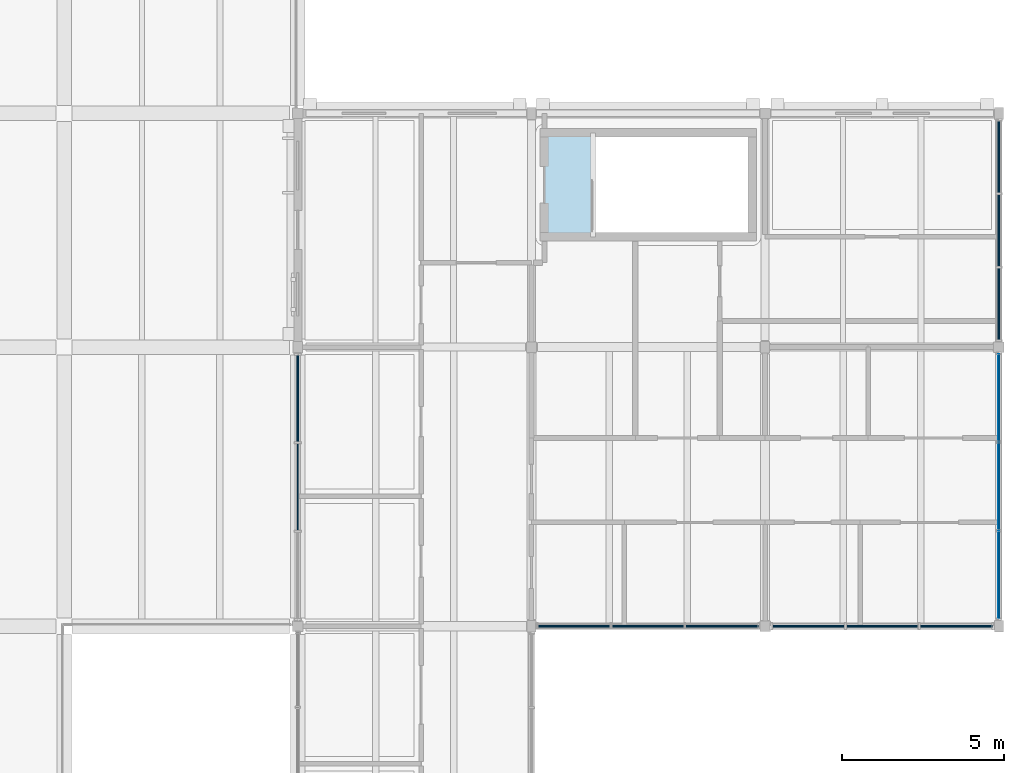
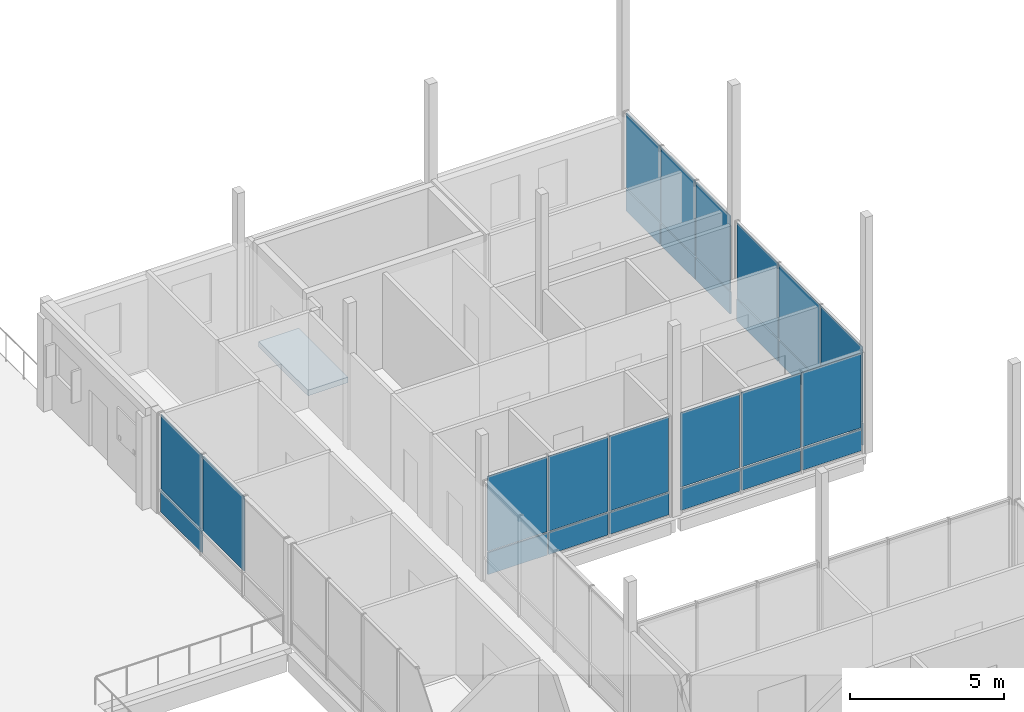
# One storey, part 72 of 115: 27 plates, 1 slab, 5 elements without a shape of their own.
"""IFC4 building model written with IfcOpenShell, lengths in metres."""

from ifc_helpers import new_model, si_unit, direction, frame, origin, origin_2d, place, context, subcontext, project, spatial, polyline, rectangle, outline, extrude, material, layer, layer_set, type_object, element, aggregate, save


model = new_model("IFC4")

# Units and contexts
model_context = context("Model", 3, precision=1e-05, world=origin(), true_north=direction((0.0, 1.0)))
body_context = subcontext(model_context, "Body", "Model", "MODEL_VIEW")
ifc_project = project(units=[si_unit("LENGTHUNIT", "METRE"), si_unit("AREAUNIT", "SQUARE_METRE"), si_unit("VOLUMEUNIT", "CUBIC_METRE"), si_unit("PLANEANGLEUNIT", "RADIAN"), si_unit("MASSUNIT", "GRAM", prefix="KILO")], contexts=[model_context])

# Site, building, storey
site_placement = place(None, origin())
site = spatial("IfcSite", under=ifc_project, at=site_placement, CompositionType="ELEMENT")
building_placement = place(site_placement, origin())
building = spatial("IfcBuilding", under=site, at=building_placement, Name="Hawrajan Terrace Health Centre", CompositionType="ELEMENT")
storey_placement = place(building_placement, frame((0.0, 0.0, 9.0)))
storey = spatial("IfcBuildingStorey", under=building, at=storey_placement, Name="L02", CompositionType="ELEMENT", Elevation=9.0)

# Curtain wall, plates
ifc_material_1 = material(Name="Anodized bronze aluminium and low-E solar glazing", Category="aluminium")
curtain_wall_type_1 = type_object("IfcCurtainWallType", Name="CW_Court_SeriesB2", PredefinedType="USERDEFINED", material=ifc_material_1)
curtain_wall_1_placement = place(storey_placement, origin())
curtain_wall_1 = element("IfcCurtainWall", 1, at=curtain_wall_1_placement, inside=storey, type_object=curtain_wall_type_1, Name="Curtain wall CW-L02-149", ObjectType="UNITISED CURTAIN WALL", PredefinedType="USERDEFINED")
ifc_material_2 = material(Name="Diffused north-light insulated glazing", Category="glass")
ifc_layer_1 = layer(ifc_material_2, 0.031982421875)
ifc_layer_set_1 = layer_set([ifc_layer_1], Name="Diffused north-light insulated glazing")
plate_type_1 = type_object("IfcPlateType", Name="ClerestoryGlassPanel_32", PredefinedType="CURTAIN_PANEL", material=ifc_layer_set_1)
plate_1_placement = place(storey_placement, frame((143.800048828125, 41.090087890625, 0.9814453125), z_axis=(0.0, 0.0, 1.0), x_axis=(0.0, 1.0, 0.0)))
plate_1 = element("IfcPlate", 2, at=plate_1_placement, type_object=plate_type_1, Name="Curtain panel CW-L02-149-P2-2", PredefinedType="CURTAIN_PANEL", context=body_context, shape_type="SweptSolid", body=[
    extrude(rectangle(XDim=2.665283203125, YDim=0.031982421875, at=origin_2d()), origin(), (0.0, 0.0, 1.0), 2.949462890625),
])
plate_2_placement = place(storey_placement, frame((143.800048828125, 43.818359375, 0.9814453125), z_axis=(0.0, 0.0, 1.0), x_axis=(0.0, 1.0, 0.0)))
plate_2 = element("IfcPlate", 3, at=plate_2_placement, type_object=plate_type_1, Name="Curtain panel CW-L02-149-P3-2", PredefinedType="CURTAIN_PANEL", context=body_context, shape_type="SweptSolid", body=[
    extrude(rectangle(XDim=2.665283203125, YDim=0.031982421875, at=origin_2d()), origin(), (0.0, 0.0, 1.0), 2.949462890625),
])

curtain_wall_type_2 = type_object("IfcCurtainWallType", Name="CW_Hall_SeriesD2", PredefinedType="USERDEFINED", material=ifc_material_1)
curtain_wall_2_placement = place(storey_placement, origin())
curtain_wall_2 = element("IfcCurtainWall", 4, at=curtain_wall_2_placement, inside=storey, type_object=curtain_wall_type_2, Name="Curtain wall CW-L02-155", ObjectType="UNITISED CURTAIN WALL", PredefinedType="USERDEFINED")
plate_3_placement = place(storey_placement, frame((159.534912109375, 36.800048828125, 0.9814453125), z_axis=(0.0, 0.0, 1.0), x_axis=(1.0, 0.0, 0.0)))
plate_3 = element("IfcPlate", 5, at=plate_3_placement, type_object=plate_type_1, Name="Curtain panel CW-L02-155-P1-2", PredefinedType="CURTAIN_PANEL", context=body_context, shape_type="SweptSolid", body=[
    extrude(rectangle(XDim=2.2119140625, YDim=0.031982421875, at=origin_2d()), origin(), (0.0, 0.0, 1.0), 2.949462890625),
])
plate_4_placement = place(storey_placement, frame((161.81005859375, 36.800048828125, 0.9814453125), z_axis=(0.0, 0.0, 1.0), x_axis=(1.0, 0.0, 0.0)))
plate_4 = element("IfcPlate", 6, at=plate_4_placement, type_object=plate_type_1, Name="Curtain panel CW-L02-155-P2-2", PredefinedType="CURTAIN_PANEL", context=body_context, shape_type="SweptSolid", body=[
    extrude(rectangle(XDim=2.2119140625, YDim=0.031982421875, at=origin_2d()), origin(), (0.0, 0.0, 1.0), 2.949462890625),
])
plate_5_placement = place(storey_placement, frame((164.0849609375, 36.800048828125, 0.9814453125), z_axis=(0.0, 0.0, 1.0), x_axis=(1.0, 0.0, 0.0)))
plate_5 = element("IfcPlate", 7, at=plate_5_placement, type_object=plate_type_1, Name="Curtain panel CW-L02-155-P3-2", PredefinedType="CURTAIN_PANEL", context=body_context, shape_type="SweptSolid", body=[
    extrude(rectangle(XDim=2.2119140625, YDim=0.031982421875, at=origin_2d()), origin(), (0.0, 0.0, 1.0), 2.949462890625),
])

curtain_wall_type_3 = type_object("IfcCurtainWallType", Name="CW_Pavilion_SeriesE1", PredefinedType="USERDEFINED", material=ifc_material_1)
curtain_wall_3_placement = place(storey_placement, origin())
curtain_wall_3 = element("IfcCurtainWall", 8, at=curtain_wall_3_placement, inside=storey, type_object=curtain_wall_type_3, Name="Curtain wall CW-L02-156", ObjectType="UNITISED CURTAIN WALL", PredefinedType="USERDEFINED")
ifc_material_3 = material(Name="Insulated anodized bronze spandrel panel")
ifc_layer_2 = layer(ifc_material_3, 0.048095703125)
ifc_layer_set_2 = layer_set([ifc_layer_2], Name="Insulated anodized bronze spandrel panel")
plate_type_2 = type_object("IfcPlateType", Name="SpandrelPanel_Bronze48", PredefinedType="CURTAIN_PANEL", material=ifc_layer_set_2)
plate_6_placement = place(storey_placement, frame((165.39990234375, 38.37841796875, 0.05908203125), z_axis=(0.0, 0.0, 1.0), x_axis=(0.0, 1.0, 0.0)))
plate_6 = element("IfcPlate", 9, at=plate_6_placement, type_object=plate_type_2, Name="Curtain panel CW-L02-156-P1-1", PredefinedType="CURTAIN_PANEL", context=body_context, shape_type="SweptSolid", body=[
    extrude(rectangle(XDim=2.6787109375, YDim=0.048095703125, at=origin_2d()), origin(), (0.0, 0.0, 1.0), 0.864501953125),
])
plate_7_placement = place(storey_placement, frame((165.39990234375, 41.110107421875, 0.05908203125), z_axis=(0.0, 0.0, 1.0), x_axis=(0.0, 1.0, 0.0)))
plate_7 = element("IfcPlate", 10, at=plate_7_placement, type_object=plate_type_2, Name="Curtain panel CW-L02-156-P2-1", PredefinedType="CURTAIN_PANEL", context=body_context, shape_type="SweptSolid", body=[
    extrude(rectangle(XDim=2.6787109375, YDim=0.048095703125, at=origin_2d()), origin(), (0.0, 0.0, 1.0), 0.864501953125),
])
plate_8_placement = place(storey_placement, frame((165.39990234375, 43.841796875, 0.05908203125), z_axis=(0.0, 0.0, 1.0), x_axis=(0.0, 1.0, 0.0)))
plate_8 = element("IfcPlate", 11, at=plate_8_placement, type_object=plate_type_2, Name="Curtain panel CW-L02-156-P3-1", PredefinedType="CURTAIN_PANEL", context=body_context, shape_type="SweptSolid", body=[
    extrude(rectangle(XDim=2.6787109375, YDim=0.048095703125, at=origin_2d()), origin(), (0.0, 0.0, 1.0), 0.864501953125),
])

# Plate
ifc_material_4 = material(Name="Insulated reconstituted coral-stone spandrel", Category="masonry")
ifc_layer_3 = layer(ifc_material_4, 0.055908203125)
ifc_layer_set_3 = layer_set([ifc_layer_3], Name="Insulated reconstituted coral-stone spandrel")
plate_type_3 = type_object("IfcPlateType", Name="SpandrelPanel_Coral56", PredefinedType="CURTAIN_PANEL", material=ifc_layer_set_3)
plate_9_placement = place(storey_placement, frame((143.800048828125, 43.818359375, 0.06884765625), z_axis=(0.0, 0.0, 1.0), x_axis=(0.0, 1.0, 0.0)))
plate_9 = element("IfcPlate", 12, at=plate_9_placement, type_object=plate_type_3, Name="Curtain panel CW-L02-149-P3-1", PredefinedType="CURTAIN_PANEL", context=body_context, shape_type="SweptSolid", body=[
    extrude(rectangle(XDim=2.665283203125, YDim=0.055908203125, at=origin_2d()), origin(), (0.0, 0.0, 1.0), 0.849609375),
])

aggregate(curtain_wall_1, [plate_1, plate_9, plate_2])

# Curtain wall, plates
curtain_wall_type_4 = type_object("IfcCurtainWallType", Name="CW_CourtNS_SeriesC1", PredefinedType="USERDEFINED", material=ifc_material_1)
curtain_wall_4_placement = place(storey_placement, origin())
curtain_wall_4 = element("IfcCurtainWall", 13, at=curtain_wall_4_placement, inside=storey, type_object=curtain_wall_type_4, Name="Curtain wall CW-L02-151", ObjectType="UNITISED CURTAIN WALL", PredefinedType="USERDEFINED")
plate_10_placement = place(storey_placement, frame((152.311767578125, 36.800048828125, 0.05908203125), z_axis=(0.0, 0.0, 1.0), x_axis=(1.0, 0.0, 0.0)))
plate_10 = element("IfcPlate", 14, at=plate_10_placement, type_object=plate_type_3, Name="Curtain panel CW-L02-151-P1-1", PredefinedType="CURTAIN_PANEL", context=body_context, shape_type="SweptSolid", body=[
    extrude(rectangle(XDim=2.225341796875, YDim=0.055908203125, at=origin_2d()), origin(), (0.0, 0.0, 1.0), 0.864501953125),
])
plate_11_placement = place(storey_placement, frame((154.590087890625, 36.800048828125, 0.05908203125), z_axis=(0.0, 0.0, 1.0), x_axis=(1.0, 0.0, 0.0)))
plate_11 = element("IfcPlate", 15, at=plate_11_placement, type_object=plate_type_3, Name="Curtain panel CW-L02-151-P2-1", PredefinedType="CURTAIN_PANEL", context=body_context, shape_type="SweptSolid", body=[
    extrude(rectangle(XDim=2.225341796875, YDim=0.055908203125, at=origin_2d()), origin(), (0.0, 0.0, 1.0), 0.864501953125),
])
plate_12_placement = place(storey_placement, frame((156.868408203125, 36.800048828125, 0.05908203125), z_axis=(0.0, 0.0, 1.0), x_axis=(1.0, 0.0, 0.0)))
plate_12 = element("IfcPlate", 16, at=plate_12_placement, type_object=plate_type_3, Name="Curtain panel CW-L02-151-P3-1", PredefinedType="CURTAIN_PANEL", context=body_context, shape_type="SweptSolid", body=[
    extrude(rectangle(XDim=2.225341796875, YDim=0.055908203125, at=origin_2d()), origin(), (0.0, 0.0, 1.0), 0.864501953125),
])

# Plate
plate_13_placement = place(storey_placement, frame((159.534912109375, 36.800048828125, 0.06884765625), z_axis=(0.0, 0.0, 1.0), x_axis=(1.0, 0.0, 0.0)))
plate_13 = element("IfcPlate", 17, at=plate_13_placement, type_object=plate_type_3, Name="Curtain panel CW-L02-155-P1-1", PredefinedType="CURTAIN_PANEL", context=body_context, shape_type="SweptSolid", body=[
    extrude(rectangle(XDim=2.2119140625, YDim=0.055908203125, at=origin_2d()), origin(), (0.0, 0.0, 1.0), 0.849609375),
])

plate_14_placement = place(storey_placement, frame((161.81005859375, 36.800048828125, 0.06884765625), z_axis=(0.0, 0.0, 1.0), x_axis=(1.0, 0.0, 0.0)))
plate_14 = element("IfcPlate", 18, at=plate_14_placement, type_object=plate_type_3, Name="Curtain panel CW-L02-155-P2-1", PredefinedType="CURTAIN_PANEL", context=body_context, shape_type="SweptSolid", body=[
    extrude(rectangle(XDim=2.2119140625, YDim=0.055908203125, at=origin_2d()), origin(), (0.0, 0.0, 1.0), 0.849609375),
])

plate_15_placement = place(storey_placement, frame((164.0849609375, 36.800048828125, 0.06884765625), z_axis=(0.0, 0.0, 1.0), x_axis=(1.0, 0.0, 0.0)))
plate_15 = element("IfcPlate", 19, at=plate_15_placement, type_object=plate_type_3, Name="Curtain panel CW-L02-155-P3-1", PredefinedType="CURTAIN_PANEL", context=body_context, shape_type="SweptSolid", body=[
    extrude(rectangle(XDim=2.2119140625, YDim=0.055908203125, at=origin_2d()), origin(), (0.0, 0.0, 1.0), 0.849609375),
])

aggregate(curtain_wall_2, [plate_13, plate_3, plate_14, plate_4, plate_15, plate_5])

# Curtain wall, plates
curtain_wall_type_5 = type_object("IfcCurtainWallType", Name="CW_Pavilion_SeriesE2", PredefinedType="USERDEFINED", material=ifc_material_1)
curtain_wall_5_placement = place(storey_placement, origin())
curtain_wall_5 = element("IfcCurtainWall", 20, at=curtain_wall_5_placement, inside=storey, type_object=curtain_wall_type_5, Name="Curtain wall CW-L02-157", ObjectType="UNITISED CURTAIN WALL", PredefinedType="USERDEFINED")
plate_16_placement = place(storey_placement, frame((165.39990234375, 46.72509765625, 0.05908203125), z_axis=(0.0, 0.0, 1.0), x_axis=(0.0, 1.0, 0.0)))
plate_16 = element("IfcPlate", 21, at=plate_16_placement, type_object=plate_type_3, Name="Curtain panel CW-L02-157-P1-1", PredefinedType="CURTAIN_PANEL", context=body_context, shape_type="SweptSolid", body=[
    extrude(rectangle(XDim=2.2119140625, YDim=0.055908203125, at=origin_2d()), origin(), (0.0, 0.0, 1.0), 0.864501953125),
])
plate_17_placement = place(storey_placement, frame((165.39990234375, 48.989990234375, 0.05908203125), z_axis=(0.0, 0.0, 1.0), x_axis=(0.0, 1.0, 0.0)))
plate_17 = element("IfcPlate", 22, at=plate_17_placement, type_object=plate_type_3, Name="Curtain panel CW-L02-157-P2-1", PredefinedType="CURTAIN_PANEL", context=body_context, shape_type="SweptSolid", body=[
    extrude(rectangle(XDim=2.2119140625, YDim=0.055908203125, at=origin_2d()), origin(), (0.0, 0.0, 1.0), 0.864501953125),
])
plate_18_placement = place(storey_placement, frame((165.39990234375, 51.2548828125, 0.05908203125), z_axis=(0.0, 0.0, 1.0), x_axis=(0.0, 1.0, 0.0)))
plate_18 = element("IfcPlate", 23, at=plate_18_placement, type_object=plate_type_3, Name="Curtain panel CW-L02-157-P3-1", PredefinedType="CURTAIN_PANEL", context=body_context, shape_type="SweptSolid", body=[
    extrude(rectangle(XDim=2.2119140625, YDim=0.055908203125, at=origin_2d()), origin(), (0.0, 0.0, 1.0), 0.864501953125),
])

# Slab
ifc_material_5 = material(Name="Concrete C40/50", Category="concrete")
ifc_layer_4 = layer(ifc_material_5, 0.219970703125)
ifc_layer_set_4 = layer_set([ifc_layer_4], Name="Concrete C40/50")
slab_type = type_object("IfcSlabType", Name="StairLanding_RC220", PredefinedType="LANDING", material=ifc_layer_set_4)
slab_placement = place(storey_placement, frame((0.0, 0.0, -0.219970703125)))
element("IfcSlab", 24, at=slab_placement, inside=storey, type_object=slab_type, Name="Stair top arrival landing ST-9", PredefinedType="LANDING", context=body_context, shape_type="SweptSolid", body=[
    extrude(outline(polyline([(151.39990234375, 48.800048828125), (152.89990234375, 48.800048828125), (152.89990234375, 52.0), (151.39990234375, 52.0), (151.39990234375, 48.800048828125)])), origin(), (0.0, 0.0, 1.0), 0.219970703125),
])

# Plate
ifc_material_6 = material(Name="Double-glazed solar control low-E glass", Category="glass")
ifc_layer_5 = layer(ifc_material_6, 0.028076171875)
ifc_layer_set_5 = layer_set([ifc_layer_5], Name="Double-glazed solar control low-E glass")
plate_type_4 = type_object("IfcPlateType", Name="VisionGlassPanel_28", PredefinedType="CURTAIN_PANEL", material=ifc_layer_set_5)
plate_19_placement = place(storey_placement, frame((165.39990234375, 38.37841796875, 0.9765625), z_axis=(0.0, 0.0, 1.0), x_axis=(0.0, 1.0, 0.0)))
plate_19 = element("IfcPlate", 25, at=plate_19_placement, type_object=plate_type_4, Name="Curtain panel CW-L02-156-P1-2", PredefinedType="CURTAIN_PANEL", context=body_context, shape_type="SweptSolid", body=[
    extrude(rectangle(XDim=2.6787109375, YDim=0.028076171875, at=origin_2d()), origin(), (0.0, 0.0, 1.0), 2.964599609375),
])

plate_20_placement = place(storey_placement, frame((165.39990234375, 41.110107421875, 0.9765625), z_axis=(0.0, 0.0, 1.0), x_axis=(0.0, 1.0, 0.0)))
plate_20 = element("IfcPlate", 26, at=plate_20_placement, type_object=plate_type_4, Name="Curtain panel CW-L02-156-P2-2", PredefinedType="CURTAIN_PANEL", context=body_context, shape_type="SweptSolid", body=[
    extrude(rectangle(XDim=2.6787109375, YDim=0.028076171875, at=origin_2d()), origin(), (0.0, 0.0, 1.0), 2.964599609375),
])

plate_21_placement = place(storey_placement, frame((165.39990234375, 43.841796875, 0.9765625), z_axis=(0.0, 0.0, 1.0), x_axis=(0.0, 1.0, 0.0)))
plate_21 = element("IfcPlate", 27, at=plate_21_placement, type_object=plate_type_4, Name="Curtain panel CW-L02-156-P3-2", PredefinedType="CURTAIN_PANEL", context=body_context, shape_type="SweptSolid", body=[
    extrude(rectangle(XDim=2.6787109375, YDim=0.028076171875, at=origin_2d()), origin(), (0.0, 0.0, 1.0), 2.964599609375),
])

aggregate(curtain_wall_3, [plate_6, plate_19, plate_7, plate_20, plate_8, plate_21])

ifc_material_7 = material(Name="Triple-glazed solar acoustic low-E glass", Category="glass")
ifc_layer_6 = layer(ifc_material_7, 0.035888671875)
ifc_layer_set_6 = layer_set([ifc_layer_6], Name="Triple-glazed solar acoustic low-E glass")
plate_type_5 = type_object("IfcPlateType", Name="VisionGlassPanel_36", PredefinedType="CURTAIN_PANEL", material=ifc_layer_set_6)
plate_22_placement = place(storey_placement, frame((152.311767578125, 36.800048828125, 0.9765625), z_axis=(0.0, 0.0, 1.0), x_axis=(1.0, 0.0, 0.0)))
plate_22 = element("IfcPlate", 28, at=plate_22_placement, type_object=plate_type_5, Name="Curtain panel CW-L02-151-P1-2", PredefinedType="CURTAIN_PANEL", context=body_context, shape_type="SweptSolid", body=[
    extrude(rectangle(XDim=2.225341796875, YDim=0.035888671875, at=origin_2d()), origin(), (0.0, 0.0, 1.0), 2.964599609375),
])

plate_23_placement = place(storey_placement, frame((154.590087890625, 36.800048828125, 0.9765625), z_axis=(0.0, 0.0, 1.0), x_axis=(1.0, 0.0, 0.0)))
plate_23 = element("IfcPlate", 29, at=plate_23_placement, type_object=plate_type_5, Name="Curtain panel CW-L02-151-P2-2", PredefinedType="CURTAIN_PANEL", context=body_context, shape_type="SweptSolid", body=[
    extrude(rectangle(XDim=2.225341796875, YDim=0.035888671875, at=origin_2d()), origin(), (0.0, 0.0, 1.0), 2.964599609375),
])

plate_24_placement = place(storey_placement, frame((156.868408203125, 36.800048828125, 0.9765625), z_axis=(0.0, 0.0, 1.0), x_axis=(1.0, 0.0, 0.0)))
plate_24 = element("IfcPlate", 30, at=plate_24_placement, type_object=plate_type_5, Name="Curtain panel CW-L02-151-P3-2", PredefinedType="CURTAIN_PANEL", context=body_context, shape_type="SweptSolid", body=[
    extrude(rectangle(XDim=2.225341796875, YDim=0.035888671875, at=origin_2d()), origin(), (0.0, 0.0, 1.0), 2.964599609375),
])

aggregate(curtain_wall_4, [plate_10, plate_22, plate_11, plate_23, plate_12, plate_24])

plate_25_placement = place(storey_placement, frame((165.39990234375, 46.72509765625, 0.9765625), z_axis=(0.0, 0.0, 1.0), x_axis=(0.0, 1.0, 0.0)))
plate_25 = element("IfcPlate", 31, at=plate_25_placement, type_object=plate_type_5, Name="Curtain panel CW-L02-157-P1-2", PredefinedType="CURTAIN_PANEL", context=body_context, shape_type="SweptSolid", body=[
    extrude(rectangle(XDim=2.2119140625, YDim=0.035888671875, at=origin_2d()), origin(), (0.0, 0.0, 1.0), 2.964599609375),
])

plate_26_placement = place(storey_placement, frame((165.39990234375, 48.989990234375, 0.9765625), z_axis=(0.0, 0.0, 1.0), x_axis=(0.0, 1.0, 0.0)))
plate_26 = element("IfcPlate", 32, at=plate_26_placement, type_object=plate_type_5, Name="Curtain panel CW-L02-157-P2-2", PredefinedType="CURTAIN_PANEL", context=body_context, shape_type="SweptSolid", body=[
    extrude(rectangle(XDim=2.2119140625, YDim=0.035888671875, at=origin_2d()), origin(), (0.0, 0.0, 1.0), 2.964599609375),
])

plate_27_placement = place(storey_placement, frame((165.39990234375, 51.2548828125, 0.9765625), z_axis=(0.0, 0.0, 1.0), x_axis=(0.0, 1.0, 0.0)))
plate_27 = element("IfcPlate", 33, at=plate_27_placement, type_object=plate_type_5, Name="Curtain panel CW-L02-157-P3-2", PredefinedType="CURTAIN_PANEL", context=body_context, shape_type="SweptSolid", body=[
    extrude(rectangle(XDim=2.2119140625, YDim=0.035888671875, at=origin_2d()), origin(), (0.0, 0.0, 1.0), 2.964599609375),
])

aggregate(curtain_wall_5, [plate_16, plate_25, plate_17, plate_26, plate_18, plate_27])

save(model, "model.ifc")
